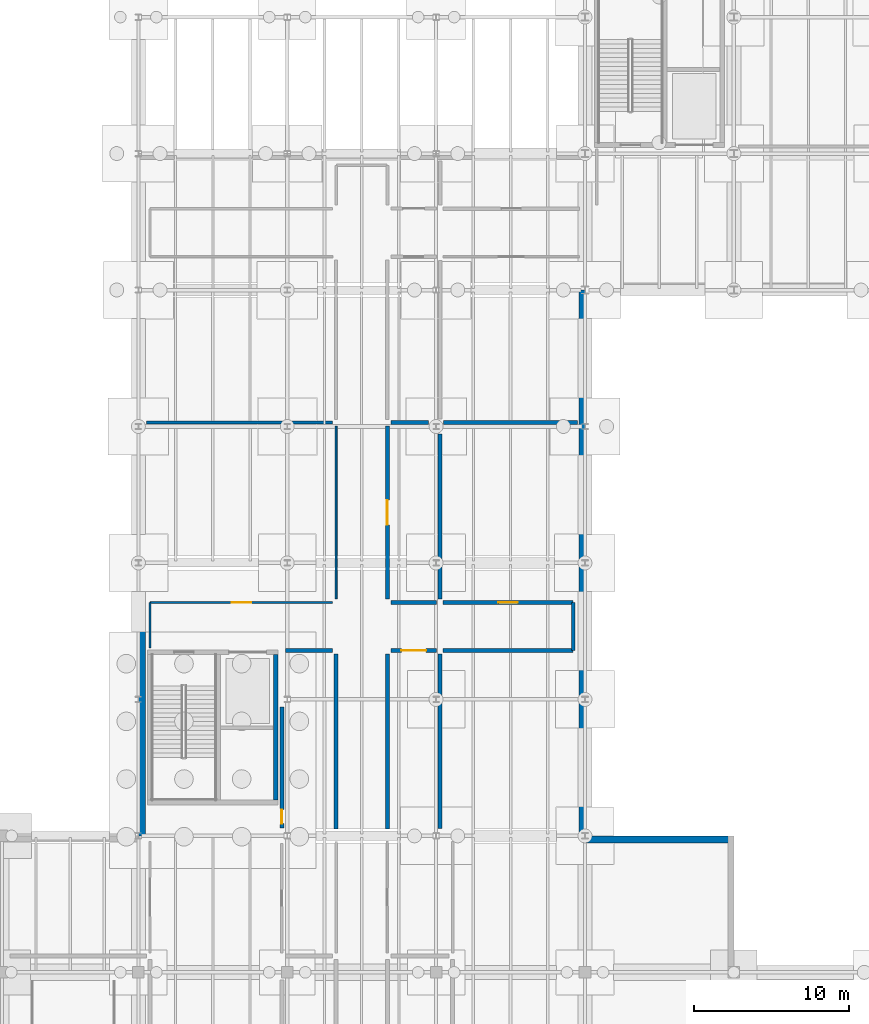
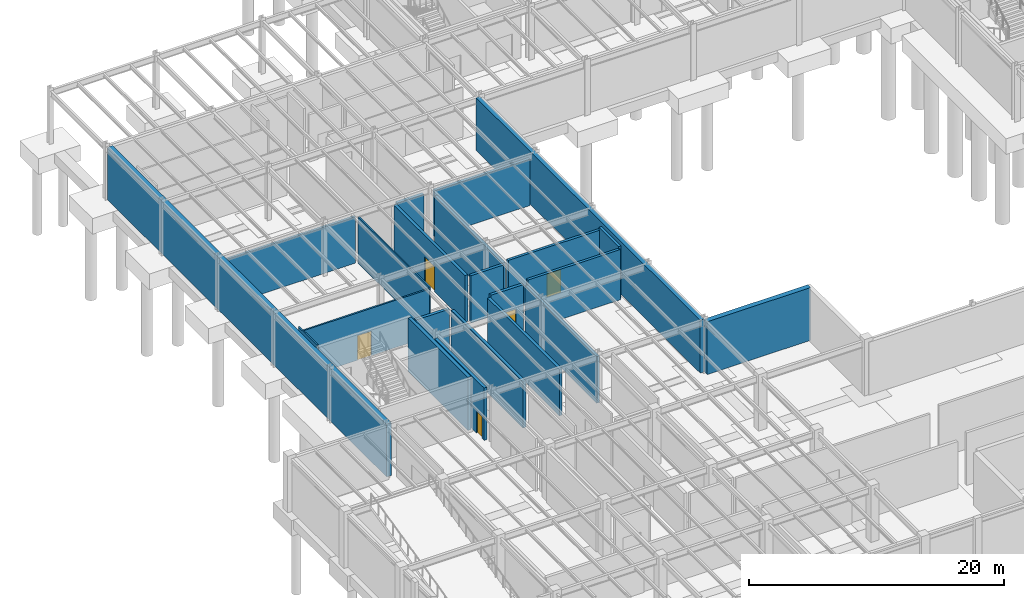
# One storey, part 31 of 48: 22 walls, 5 doors, 5 openings.
"""IFC4 building model written with IfcOpenShell, lengths in metres."""

from ifc_helpers import new_model, si_unit, direction, frame, frame_2d, origin, place, context, subcontext, project, spatial, rectangle, extrude, material, layer, layer_set, type_object, element, fill, save


model = new_model("IFC4")

# Units and contexts
model_context = context("Model", 3, precision=1e-05, world=origin(), true_north=direction((0.0, 1.0)))
body_context = subcontext(model_context, "Body", "Model", "MODEL_VIEW")
ifc_project = project(units=[si_unit("LENGTHUNIT", "METRE"), si_unit("AREAUNIT", "SQUARE_METRE"), si_unit("VOLUMEUNIT", "CUBIC_METRE"), si_unit("PLANEANGLEUNIT", "RADIAN"), si_unit("MASSUNIT", "GRAM", prefix="KILO")], contexts=[model_context])

# Site, building, storey
site_placement = place(None, origin())
site = spatial("IfcSite", under=ifc_project, at=site_placement, CompositionType="ELEMENT")
building_placement = place(site_placement, origin())
building = spatial("IfcBuilding", under=site, at=building_placement, Name="Sarnbrook Museum", CompositionType="ELEMENT")
storey_placement = place(building_placement, frame((0.0, 0.0, -5.39990234375)))
storey = spatial("IfcBuildingStorey", under=building, at=storey_placement, Name="B1", CompositionType="ELEMENT", Elevation=-5.39990234375)

# Wall
ifc_material_1 = material(Name="Concrete N50 (AS 3600, f'c = 50 MPa)", Category="concrete")
ifc_layer_1 = layer(ifc_material_1, 0.300048828125)
ifc_layer_set_1 = layer_set([ifc_layer_1], Name="Concrete N50 (AS 3600, f'c = 50 MPa)")
wall_type_1 = type_object("IfcWallType", Name="CoreWall_CWRC", PredefinedType="SHEAR", material=ifc_layer_set_1)
wall_1_placement = place(storey_placement, frame((22.449951171875, 41.510009765625, 0.0), z_axis=(0.0, 0.0, 1.0), x_axis=(0.0, 1.0, 0.0)))
element("IfcWall", 1, at=wall_1_placement, inside=storey, type_object=wall_type_1, Name="Core C5 Shear Wall E B1", PredefinedType="SHEAR", context=body_context, shape_type="SweptSolid", body=[
    extrude(rectangle(XDim=9.3798828125, YDim=0.300048828125, at=frame_2d((4.68994140625, 0.0))), origin(), (0.0, 0.0, 1.0), 5.094970703125),
])

# Wall, opening, door
ifc_material_2 = material(Name="Concrete N40 (AS 3600, f'c = 40 MPa)", Category="concrete")
ifc_layer_2 = layer(ifc_material_2, 0.260009765625)
ifc_layer_set_2 = layer_set([ifc_layer_2], Name="Concrete N40 (AS 3600, f'c = 40 MPa)")
wall_type_2 = type_object("IfcWallType", Name="FireWall_FW240", PredefinedType="SOLIDWALL", material=ifc_layer_set_2)
wall_2_placement = place(storey_placement, frame((22.85009765625, 39.698486328125, 0.0), z_axis=(0.0, 0.0, 1.0), x_axis=(0.0, 1.0, 0.0)))
wall_2 = element("IfcWall", 2, at=wall_2_placement, inside=storey, type_object=wall_type_2, Name="Interior Partition Wall B1-0078", PredefinedType="SOLIDWALL", context=body_context, shape_type="SweptSolid", body=[
    extrude(rectangle(XDim=7.802978515625, YDim=0.260009765625, at=frame_2d((3.9013671875, 0.0))), origin(), (0.0, 0.0, 1.0), 5.02978515625),
])
opening_1_placement = place(wall_2_placement, frame((0.29638671875, 0.0, 0.0)))
opening_1 = element("IfcOpeningElement", 3, at=opening_1_placement, cuts=wall_2, Name="Opening D-B1-025", PredefinedType="OPENING", context=body_context, shape_type="SweptSolid", body=[
    extrude(rectangle(XDim=0.89990234375, YDim=2.080078125, at=frame_2d((0.449951171875, 1.0400390625))), frame((0.0, 0.14013671875, 0.0), z_axis=(0.0, -1.0, 0.0), x_axis=(1.0, 0.0, 0.0)), (0.0, 0.0, 1.0), 0.280029296875),
])
ifc_material_3 = material(Name="Tasmanian Oak Acoustic Timber", Category="wood")
door_type_1 = type_object("IfcDoorType", Name="IntDoor_DT01", OperationType="NOTDEFINED", PredefinedType="DOOR", material=ifc_material_3)
door_1_placement = place(opening_1_placement, frame((0.89990234375, 0.0, 0.0), z_axis=(0.0, 0.0, 1.0), x_axis=(-1.0, 0.0, 0.0)))
door_1 = element("IfcDoor", 4, at=door_1_placement, inside=storey, type_object=door_type_1, Name="Palaeontology Vault B1-21 Door D-B1-025", OperationType="SINGLE_SWING_RIGHT", OverallHeight=2.080078125, OverallWidth=0.89990234375, PredefinedType="DOOR", context=body_context, shape_type="SweptSolid", body=[
    extrude(rectangle(XDim=0.89990234375, YDim=2.080078125, at=frame_2d((0.449951171875, 1.0400390625))), frame((0.0, 0.02490234375, 0.0), z_axis=(0.0, -1.0, 0.0), x_axis=(1.0, 0.0, 0.0)), (0.0, 0.0, 1.0), 0.050048828125),
])
fill(opening_1, door_1)

# Walls
wall_3_placement = place(storey_placement, frame((23.080078125, 51.14990234375, 0.0), z_axis=(0.0, 0.0, 1.0), x_axis=(1.0, 0.0, 0.0)))
element("IfcWall", 5, at=wall_3_placement, inside=storey, type_object=wall_type_2, Name="Interior Partition Wall B1-0079", PredefinedType="SOLIDWALL", context=body_context, shape_type="SweptSolid", body=[
    extrude(rectangle(XDim=3.0400390625, YDim=0.260009765625, at=frame_2d((1.52001953125, 0.0))), origin(), (0.0, 0.0, 1.0), 4.536865234375),
])
wall_4_placement = place(storey_placement, frame((26.35009765625, 50.919921875, 0.0), z_axis=(0.0, 0.0, 1.0), x_axis=(0.0, -1.0, 0.0)))
element("IfcWall", 6, at=wall_4_placement, inside=storey, type_object=wall_type_2, Name="Interior Partition Wall B1-0080", PredefinedType="SOLIDWALL", context=body_context, shape_type="SweptSolid", body=[
    extrude(rectangle(XDim=11.27001953125, YDim=0.260009765625, at=frame_2d((5.635009765625, 0.0))), origin(), (0.0, 0.0, 1.0), 4.4580078125),
])

# Wall, opening, door
wall_5_placement = place(storey_placement, frame((29.8798828125, 51.14990234375, 0.0), z_axis=(0.0, 0.0, 1.0), x_axis=(1.0, 0.0, 0.0)))
wall_5 = element("IfcWall", 7, at=wall_5_placement, inside=storey, type_object=wall_type_2, Name="Interior Partition Wall B1-0081", PredefinedType="SOLIDWALL", context=body_context, shape_type="SweptSolid", body=[
    extrude(rectangle(XDim=2.9501953125, YDim=0.260009765625, at=frame_2d((1.47509765625, 0.0))), origin(), (0.0, 0.0, 1.0), 4.536865234375),
])
opening_2_placement = place(wall_5_placement, frame((0.675048828125, 0.0, 0.0)))
opening_2 = element("IfcOpeningElement", 8, at=opening_2_placement, cuts=wall_5, Name="Opening D-B1-026", PredefinedType="OPENING", context=body_context, shape_type="SweptSolid", body=[
    extrude(rectangle(XDim=1.60009765625, YDim=2.39990234375, at=frame_2d((0.800048828125, 1.199951171875))), frame((0.0, 0.14013671875, 0.0), z_axis=(0.0, -1.0, 0.0), x_axis=(1.0, 0.0, 0.0)), (0.0, 0.0, 1.0), 0.280029296875),
])
ifc_material_4 = material(Name="Patinated Architectural Bronze")
door_type_2 = type_object("IfcDoorType", Name="FireDoor_FD240", OperationType="NOTDEFINED", PredefinedType="DOOR", material=ifc_material_4)
door_2_placement = place(opening_2_placement, origin())
door_2 = element("IfcDoor", 9, at=door_2_placement, inside=storey, type_object=door_type_2, Name="Mineralogy Collection Vault B1-22 Door D-B1-026", OperationType="DOUBLE_DOOR_SINGLE_SWING", OverallHeight=2.39990234375, OverallWidth=1.60009765625, PredefinedType="DOOR", context=body_context, shape_type="SweptSolid", body=[
    extrude(rectangle(XDim=1.60009765625, YDim=2.39990234375, at=frame_2d((0.800048828125, 1.199951171875))), frame((0.0, 0.02490234375, 0.0), z_axis=(0.0, -1.0, 0.0), x_axis=(1.0, 0.0, 0.0)), (0.0, 0.0, 1.0), 0.050048828125),
])
fill(opening_2, door_2)

# Wall
wall_6_placement = place(storey_placement, frame((29.64990234375, 39.64990234375, 0.0), z_axis=(0.0, 0.0, 1.0), x_axis=(0.0, 1.0, 0.0)))
element("IfcWall", 10, at=wall_6_placement, inside=storey, type_object=wall_type_2, Name="Interior Partition Wall B1-0082", PredefinedType="SOLIDWALL", context=body_context, shape_type="SweptSolid", body=[
    extrude(rectangle(XDim=11.27001953125, YDim=0.260009765625, at=frame_2d((5.635009765625, 0.0))), origin(), (0.0, 0.0, 1.0), 4.4580078125),
])

# Wall, opening, door
wall_7_placement = place(storey_placement, frame((29.64990234375, 54.47998046875, 0.0), z_axis=(0.0, 0.0, 1.0), x_axis=(0.0, 1.0, 0.0)))
wall_7 = element("IfcWall", 11, at=wall_7_placement, inside=storey, type_object=wall_type_2, Name="Interior Partition Wall B1-0083", PredefinedType="SOLIDWALL", context=body_context, shape_type="SweptSolid", body=[
    extrude(rectangle(XDim=11.14990234375, YDim=0.260009765625, at=frame_2d((5.574951171875, 0.0))), origin(), (0.0, 0.0, 1.0), 4.4580078125),
])
opening_3_placement = place(wall_7_placement, frame((4.77490234375, 0.0, 0.0)))
opening_3 = element("IfcOpeningElement", 12, at=opening_3_placement, cuts=wall_7, Name="Opening D-B1-027", PredefinedType="OPENING", context=body_context, shape_type="SweptSolid", body=[
    extrude(rectangle(XDim=1.60009765625, YDim=2.39990234375, at=frame_2d((0.800048828125, 1.199951171875))), frame((0.0, 0.14013671875, 0.0), z_axis=(0.0, -1.0, 0.0), x_axis=(1.0, 0.0, 0.0)), (0.0, 0.0, 1.0), 0.280029296875),
])
door_3_placement = place(opening_3_placement, frame((1.60009765625, 0.0, 0.0), z_axis=(0.0, 0.0, 1.0), x_axis=(-1.0, 0.0, 0.0)))
door_3 = element("IfcDoor", 13, at=door_3_placement, inside=storey, type_object=door_type_2, Name="Botany Herbarium Vault B1-23 Door D-B1-027", OperationType="DOUBLE_DOOR_SINGLE_SWING", OverallHeight=2.39990234375, OverallWidth=1.60009765625, PredefinedType="DOOR", context=body_context, shape_type="SweptSolid", body=[
    extrude(rectangle(XDim=1.60009765625, YDim=2.39990234375, at=frame_2d((0.800048828125, 1.199951171875))), frame((0.0, 0.02490234375, 0.0), z_axis=(0.0, -1.0, 0.0), x_axis=(1.0, 0.0, 0.0)), (0.0, 0.0, 1.0), 0.050048828125),
])
fill(opening_3, door_3)

# Walls
wall_8_placement = place(storey_placement, frame((32.830078125, 54.25, 0.0), z_axis=(0.0, 0.0, 1.0), x_axis=(-1.0, 0.0, 0.0)))
element("IfcWall", 14, at=wall_8_placement, inside=storey, type_object=wall_type_2, Name="Interior Partition Wall B1-0084", PredefinedType="SOLIDWALL", context=body_context, shape_type="SweptSolid", body=[
    extrude(rectangle(XDim=2.9501953125, YDim=0.260009765625, at=frame_2d((1.47509765625, 0.0))), origin(), (0.0, 0.0, 1.0), 4.536865234375),
])
wall_9_placement = place(storey_placement, frame((33.06005859375, 50.919921875, 0.0), z_axis=(0.0, 0.0, 1.0), x_axis=(0.0, -1.0, 0.0)))
element("IfcWall", 15, at=wall_9_placement, inside=storey, type_object=wall_type_2, Name="Interior Partition Wall B1-0129", PredefinedType="SOLIDWALL", context=body_context, shape_type="SweptSolid", body=[
    extrude(rectangle(XDim=11.239990234375, YDim=0.260009765625, at=frame_2d((5.6201171875, 0.0))), origin(), (0.0, 0.0, 1.0), 4.4580078125),
])
wall_10_placement = place(storey_placement, frame((29.8798828125, 65.860107421875, 0.0), z_axis=(0.0, 0.0, 1.0), x_axis=(1.0, 0.0, 0.0)))
element("IfcWall", 16, at=wall_10_placement, inside=storey, type_object=wall_type_2, Name="Interior Partition Wall B1-0130", PredefinedType="SOLIDWALL", context=body_context, shape_type="SweptSolid", body=[
    extrude(rectangle(XDim=2.440185546875, YDim=0.260009765625, at=frame_2d((1.22021484375, 0.0))), origin(), (0.0, 0.0, 1.0), 4.4580078125),
])
wall_11_placement = place(storey_placement, frame((33.06005859375, 65.1201171875, 0.0), z_axis=(0.0, 0.0, 1.0), x_axis=(0.0, -1.0, 0.0)))
element("IfcWall", 17, at=wall_11_placement, inside=storey, type_object=wall_type_2, Name="Interior Partition Wall B1-0131", PredefinedType="SOLIDWALL", context=body_context, shape_type="SweptSolid", body=[
    extrude(rectangle(XDim=10.64013671875, YDim=0.260009765625, at=frame_2d((5.320068359375, 0.0))), origin(), (0.0, 0.0, 1.0), 4.4580078125),
])
ifc_material_5 = material(Name="Fire-Rated Acoustic Gypsum Plasterboard")
ifc_layer_3 = layer(ifc_material_5, 0.1201171875)
ifc_layer_set_3 = layer_set([ifc_layer_3], Name="Fire-Rated Acoustic Gypsum Plasterboard")
wall_type_3 = type_object("IfcWallType", Name="PartWall_P120", PredefinedType="PARTITIONING", material=ifc_layer_set_3)
wall_12_placement = place(storey_placement, frame((26.35009765625, 65.6298828125, 0.0), z_axis=(0.0, 0.0, 1.0), x_axis=(0.0, -1.0, 0.0)))
element("IfcWall", 18, at=wall_12_placement, inside=storey, type_object=wall_type_3, Name="Interior Partition Wall B1-0069", PredefinedType="PARTITIONING", context=body_context, shape_type="SweptSolid", body=[
    extrude(rectangle(XDim=11.14990234375, YDim=0.1201171875, at=frame_2d((5.574951171875, 0.0))), origin(), (0.0, 0.0, 1.0), 4.4580078125),
])
ifc_layer_4 = layer(ifc_material_5, 0.135009765625)
ifc_layer_set_4 = layer_set([ifc_layer_4], Name="Fire-Rated Acoustic Gypsum Plasterboard")
wall_type_4 = type_object("IfcWallType", Name="PartWall_P135", PredefinedType="PARTITIONING", material=ifc_layer_set_4)
wall_13_placement = place(storey_placement, frame((14.35009765625, 54.239990234375, 0.0), z_axis=(0.0, 0.0, 1.0), x_axis=(0.0, -1.0, 0.0)))
element("IfcWall", 19, at=wall_13_placement, inside=storey, type_object=wall_type_4, Name="Interior Partition Wall B1-0068", PredefinedType="PARTITIONING", context=body_context, shape_type="SweptSolid", body=[
    extrude(rectangle(XDim=2.919921875, YDim=0.135009765625, at=frame_2d((1.4599609375, 0.0))), origin(), (0.0, 0.0, 1.0), 5.02978515625),
])

# Wall, opening, door
ifc_layer_5 = layer(ifc_material_5, 0.14990234375)
ifc_layer_set_5 = layer_set([ifc_layer_5], Name="Fire-Rated Acoustic Gypsum Plasterboard")
wall_type_5 = type_object("IfcWallType", Name="PartWall_P150", PredefinedType="PARTITIONING", material=ifc_layer_set_5)
wall_14_placement = place(storey_placement, frame((26.1201171875, 54.25, 0.0), z_axis=(0.0, 0.0, 1.0), x_axis=(-1.0, 0.0, 0.0)))
wall_14 = element("IfcWall", 20, at=wall_14_placement, inside=storey, type_object=wall_type_5, Name="Interior Partition Wall B1-0067", PredefinedType="PARTITIONING", context=body_context, shape_type="SweptSolid", body=[
    extrude(rectangle(XDim=11.760009765625, YDim=0.14990234375, at=frame_2d((5.8798828125, 0.0))), origin(), (0.0, 0.0, 1.0), 4.536865234375),
])
opening_4_placement = place(wall_14_placement, frame((5.25, 0.0, 0.0)))
opening_4 = element("IfcOpeningElement", 21, at=opening_4_placement, cuts=wall_14, Name="Opening D-B1-023", PredefinedType="OPENING", context=body_context, shape_type="SweptSolid", body=[
    extrude(rectangle(XDim=1.260009765625, YDim=2.340087890625, at=frame_2d((0.6298828125, 1.169921875))), frame((0.0, 0.0849609375, 0.0), z_axis=(0.0, -1.0, 0.0), x_axis=(1.0, 0.0, 0.0)), (0.0, 0.0, 1.0), 0.169921875),
])
door_type_3 = type_object("IfcDoorType", Name="IntDoor_DT23", OperationType="NOTDEFINED", PredefinedType="DOOR", material=ifc_material_3)
door_4_placement = place(opening_4_placement, frame((1.260009765625, 0.0, 0.0), z_axis=(0.0, 0.0, 1.0), x_axis=(-1.0, 0.0, 0.0)))
door_4 = element("IfcDoor", 22, at=door_4_placement, inside=storey, type_object=door_type_3, Name="Specimen Quarantine Room B1-19 Door D-B1-023", OperationType="SINGLE_SWING_RIGHT", OverallHeight=2.340087890625, OverallWidth=1.260009765625, PredefinedType="DOOR", context=body_context, shape_type="SweptSolid", body=[
    extrude(rectangle(XDim=1.260009765625, YDim=2.340087890625, at=frame_2d((0.6298828125, 1.169921875))), frame((0.0, 0.02490234375, 0.0), z_axis=(0.0, -1.0, 0.0), x_axis=(1.0, 0.0, 0.0)), (0.0, 0.0, 1.0), 0.050048828125),
])
fill(opening_4, door_4)

# Walls
ifc_layer_6 = layer(ifc_material_5, 0.195068359375)
ifc_layer_set_6 = layer_set([ifc_layer_6], Name="Fire-Rated Acoustic Gypsum Plasterboard")
wall_type_6 = type_object("IfcWallType", Name="PartWall_P195", PredefinedType="PARTITIONING", material=ifc_layer_set_6)
wall_15_placement = place(storey_placement, frame((14.1298828125, 65.860107421875, 0.0), z_axis=(0.0, 0.0, 1.0), x_axis=(1.0, 0.0, 0.0)))
element("IfcWall", 23, at=wall_15_placement, inside=storey, type_object=wall_type_6, Name="Interior Partition Wall B1-0127", PredefinedType="PARTITIONING", context=body_context, shape_type="SweptSolid", body=[
    extrude(rectangle(XDim=11.990234375, YDim=0.195068359375, at=frame_2d((5.9951171875, 0.0))), origin(), (0.0, 0.0, 1.0), 4.4580078125),
])
ifc_layer_7 = layer(ifc_material_2, 0.239990234375)
ifc_layer_set_7 = layer_set([ifc_layer_7], Name="Concrete N40 (AS 3600, f'c = 40 MPa)")
wall_type_7 = type_object("IfcWallType", Name="ShaftWall_SWRC", PredefinedType="SOLIDWALL", material=ifc_layer_set_7)
wall_16_placement = place(storey_placement, frame((41.64990234375, 51.159912109375, 0.0), z_axis=(0.0, 0.0, 1.0), x_axis=(0.0, 1.0, 0.0)))
element("IfcWall", 24, at=wall_16_placement, inside=storey, type_object=wall_type_7, Name="Interior Partition Wall B1-0087", PredefinedType="SOLIDWALL", context=body_context, shape_type="SweptSolid", body=[
    extrude(rectangle(XDim=3.080078125, YDim=0.239990234375, at=frame_2d((1.5400390625, 0.0))), origin(), (0.0, 0.0, 1.0), 5.02978515625),
])

# Wall, opening, door
wall_17_placement = place(storey_placement, frame((41.639892578125, 54.25, 0.0), z_axis=(0.0, 0.0, 1.0), x_axis=(-1.0, 0.0, 0.0)))
wall_17 = element("IfcWall", 25, at=wall_17_placement, inside=storey, type_object=wall_type_7, Name="Interior Partition Wall B1-0088", PredefinedType="SOLIDWALL", context=body_context, shape_type="SweptSolid", body=[
    extrude(rectangle(XDim=8.389892578125, YDim=0.239990234375, at=frame_2d((4.19482421875, 0.0))), origin(), (0.0, 0.0, 1.0), 4.81396484375),
])
opening_5_placement = place(wall_17_placement, frame((3.570068359375, 0.0, 0.0)))
opening_5 = element("IfcOpeningElement", 26, at=opening_5_placement, cuts=wall_17, Name="Opening D-B1-029", PredefinedType="OPENING", context=body_context, shape_type="SweptSolid", body=[
    extrude(rectangle(XDim=1.25, YDim=2.199951171875, at=frame_2d((0.625, 1.10009765625))), frame((0.0, 0.1298828125, 0.0), z_axis=(0.0, -1.0, 0.0), x_axis=(1.0, 0.0, 0.0)), (0.0, 0.0, 1.0), 0.260009765625),
])
door_type_4 = type_object("IfcDoorType", Name="FireDoor_FD120", OperationType="NOTDEFINED", PredefinedType="DOOR", material=ifc_material_3)
door_5_placement = place(opening_5_placement, frame((1.25, 0.0, 0.0), z_axis=(0.0, 0.0, 1.0), x_axis=(-1.0, 0.0, 0.0)))
door_5 = element("IfcDoor", 27, at=door_5_placement, inside=storey, type_object=door_type_4, Name="Main HV Switchroom & Substation B1-25 Door D-B1-029", OperationType="SINGLE_SWING_RIGHT", OverallHeight=2.199951171875, OverallWidth=1.25, PredefinedType="DOOR", context=body_context, shape_type="SweptSolid", body=[
    extrude(rectangle(XDim=1.25, YDim=2.199951171875, at=frame_2d((0.625, 1.10009765625))), frame((0.0, 0.02490234375, 0.0), z_axis=(0.0, -1.0, 0.0), x_axis=(1.0, 0.0, 0.0)), (0.0, 0.0, 1.0), 0.050048828125),
])
fill(opening_5, door_5)

# Walls
wall_18_placement = place(storey_placement, frame((33.25, 51.14990234375, 0.0), z_axis=(0.0, 0.0, 1.0), x_axis=(1.0, 0.0, 0.0)))
element("IfcWall", 28, at=wall_18_placement, inside=storey, type_object=wall_type_7, Name="Interior Partition Wall B1-0089", PredefinedType="SOLIDWALL", context=body_context, shape_type="SweptSolid", body=[
    extrude(rectangle(XDim=8.389892578125, YDim=0.239990234375, at=frame_2d((4.19482421875, 0.0))), origin(), (0.0, 0.0, 1.0), 4.81396484375),
])
wall_19_placement = place(storey_placement, frame((33.280029296875, 65.860107421875, 0.0), z_axis=(0.0, 0.0, 1.0), x_axis=(1.0, 0.0, 0.0)))
element("IfcWall", 29, at=wall_19_placement, inside=storey, type_object=wall_type_7, Name="Interior Partition Wall B1-0133", PredefinedType="SOLIDWALL", context=body_context, shape_type="SweptSolid", body=[
    extrude(rectangle(XDim=8.639892578125, YDim=0.239990234375, at=frame_2d((4.31982421875, 0.0))), origin(), (0.0, 0.0, 1.0), 4.4580078125),
])
ifc_layer_8 = layer(ifc_material_2, 0.3798828125)
ifc_layer_set_8 = layer_set([ifc_layer_8], Name="Concrete N40 (AS 3600, f'c = 40 MPa)")
wall_type_8 = type_object("IfcWallType", Name="Wall_RetainingRC380", PredefinedType="USERDEFINED", material=ifc_layer_set_8)
wall_20_placement = place(storey_placement, frame((42.2099609375, 39.199951171875, 0.0), z_axis=(0.0, 0.0, 1.0), x_axis=(0.0, 1.0, 0.0)))
element("IfcWall", 30, at=wall_20_placement, inside=storey, type_object=wall_type_8, Name="Basement Perimeter Retaining Wall RW-04", ObjectType="RETAININGWALL", PredefinedType="USERDEFINED", context=body_context, shape_type="SweptSolid", body=[
    extrude(rectangle(XDim=35.199951171875, YDim=0.3798828125, at=frame_2d((17.60009765625, 0.0))), origin(), (0.0, 0.0, 1.0), 5.059814453125),
])
ifc_layer_9 = layer(ifc_material_2, 0.449951171875)
ifc_layer_set_9 = layer_set([ifc_layer_9], Name="Concrete N40 (AS 3600, f'c = 40 MPa)")
wall_type_9 = type_object("IfcWallType", Name="Wall_RetainingRC450", PredefinedType="USERDEFINED", material=ifc_layer_set_9)
wall_21_placement = place(storey_placement, frame((51.76904296875, 38.97509765625, 0.0), z_axis=(0.0, 0.0, 1.0), x_axis=(-1.0, 0.0, 0.0)))
element("IfcWall", 31, at=wall_21_placement, inside=storey, type_object=wall_type_9, Name="Basement Perimeter Retaining Wall RW-03", ObjectType="RETAININGWALL", PredefinedType="USERDEFINED", context=body_context, shape_type="SweptSolid", body=[
    extrude(rectangle(XDim=9.369140625, YDim=0.449951171875, at=frame_2d((4.6845703125, 0.0))), origin(), (0.0, 0.0, 1.0), 5.059814453125),
])
wall_22_placement = place(storey_placement, frame((13.824951171875, 82.968994140625, 0.0), z_axis=(0.0, 0.0, 1.0), x_axis=(0.0, -1.0, 0.0)))
element("IfcWall", 32, at=wall_22_placement, inside=storey, type_object=wall_type_9, Name="Basement Perimeter Retaining Wall RW-21", ObjectType="RETAININGWALL", PredefinedType="USERDEFINED", context=body_context, shape_type="SweptSolid", body=[
    extrude(rectangle(XDim=43.76904296875, YDim=0.449951171875, at=frame_2d((21.884521484375, 0.0))), origin(), (0.0, 0.0, 1.0), 5.059814453125),
])

save(model, "model.ifc")
